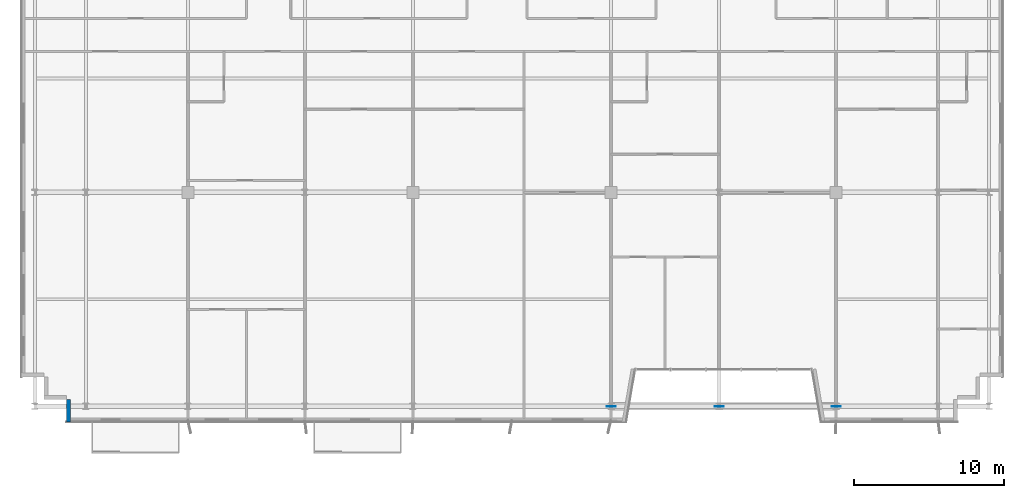
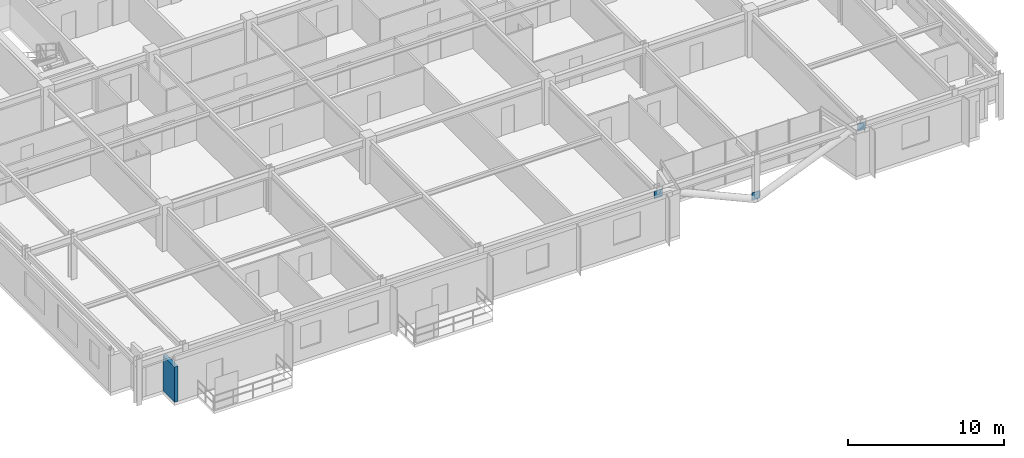
# One storey, part 18 of 26: 3 plates, 1 wall.
"""IFC4 building model written with IfcOpenShell, lengths in metres."""

from ifc_helpers import new_model, si_unit, direction, frame, frame_2d, origin, origin_2d, place, context, subcontext, project, spatial, rectangle, extrude, source, transform, mapped, material, layer, layer_set, type_object, element, save


model = new_model("IFC4")

# Units and contexts
model_context = context("Model", 3, precision=1e-05, world=origin(), true_north=direction((0.0, 1.0)))
body_context = subcontext(model_context, "Body", "Model", "MODEL_VIEW")
ifc_project = project(units=[si_unit("LENGTHUNIT", "METRE"), si_unit("AREAUNIT", "SQUARE_METRE"), si_unit("VOLUMEUNIT", "CUBIC_METRE"), si_unit("PLANEANGLEUNIT", "RADIAN"), si_unit("MASSUNIT", "GRAM", prefix="KILO")], contexts=[model_context])

# Site, building, storey
site_placement = place(None, origin())
site = spatial("IfcSite", under=ifc_project, at=site_placement, CompositionType="ELEMENT")
building_placement = place(site_placement, origin())
building = spatial("IfcBuilding", under=site, at=building_placement, Name="Trelvane Seafront Commons", CompositionType="ELEMENT")
storey_placement = place(building_placement, frame((0.0, 0.0, 124.89990234375)))
storey = spatial("IfcBuildingStorey", under=building, at=storey_placement, Name="L32", CompositionType="ELEMENT", Elevation=124.89990234375)

# Plates
ifc_material_1 = material(Name="Steel SM355 (S355)", Category="steel")
ifc_layer_1 = layer(ifc_material_1, 0.031982421875, Name="STR-PLT-GUS2")
ifc_layer_set_1 = layer_set([ifc_layer_1], Name="Steel SM355 (S355)")
plate_type = type_object("IfcPlateType", Name="STR-PLT-GUS2", PredefinedType="SHEET", material=ifc_layer_set_1)
shared_shape = source(origin(), body_context, "Body", "SweptSolid", [
    extrude(rectangle(XDim=0.60009765625, YDim=0.031982421875, at=origin_2d()), origin(), (0.0, 0.0, 1.0), 0.60009765625),
])
for number, where, z_axis, x_axis, name in (
    (1, (51.0, 3.949951171875, -0.02001953125), (0.0, 0.0, 1.0), (1.0, 0.0, 0.0), "L32 Brace Connection Gusset Plate GP-174"),
    (2, (43.800048828125, 3.949951171875, 2.64013671875), (0.0, 0.0, 1.0), (1.0, 0.0, 0.0), "L32 Brace Connection Gusset Plate GP-175"),
    (3, (58.800048828125, 3.949951171875, 2.64013671875), (0.0, 0.0, 1.0), (1.0, 0.0, 0.0), "L32 Brace Connection Gusset Plate GP-176"),
):
    element("IfcPlate", number, at=place(storey_placement, frame(where, z_axis=z_axis, x_axis=x_axis)), inside=storey, type_object=plate_type, Name=name, PredefinedType="SHEET", context=body_context, shape_type="MappedRepresentation", body=[
        mapped(shared_shape, transform((0.0, 0.0, 0.0), x_axis=(1.0, 0.0, 0.0), y_axis=(0.0, 1.0, 0.0), z_axis=(0.0, 0.0, 1.0), scale=1.0)),
    ])

# Wall
ifc_material_2 = material(Name="Precast concrete C40/50", Category="concrete")
ifc_layer_2 = layer(ifc_material_2, 0.260009765625, Name="ARCH-WALL-EXT260")
ifc_layer_set_2 = layer_set([ifc_layer_2], Name="Precast concrete C40/50")
wall_type = type_object("IfcWallType", Name="ARCH-WALL-EXT260", PredefinedType="SOLIDWALL", material=ifc_layer_set_2)
wall_placement = place(storey_placement, frame((7.6298828125, 2.89990234375, 0.0), z_axis=(0.0, 0.0, 1.0), x_axis=(0.0, 1.0, 0.0)))
element("IfcWall", 4, at=wall_placement, inside=storey, type_object=wall_type, Name="EW-L32-00628", PredefinedType="SOLIDWALL", context=body_context, shape_type="SweptSolid", body=[
    extrude(rectangle(XDim=1.5, YDim=0.260009765625, at=frame_2d((0.75, 0.0))), origin(), (0.0, 0.0, 1.0), 2.752197265625),
])

save(model, "model.ifc")
